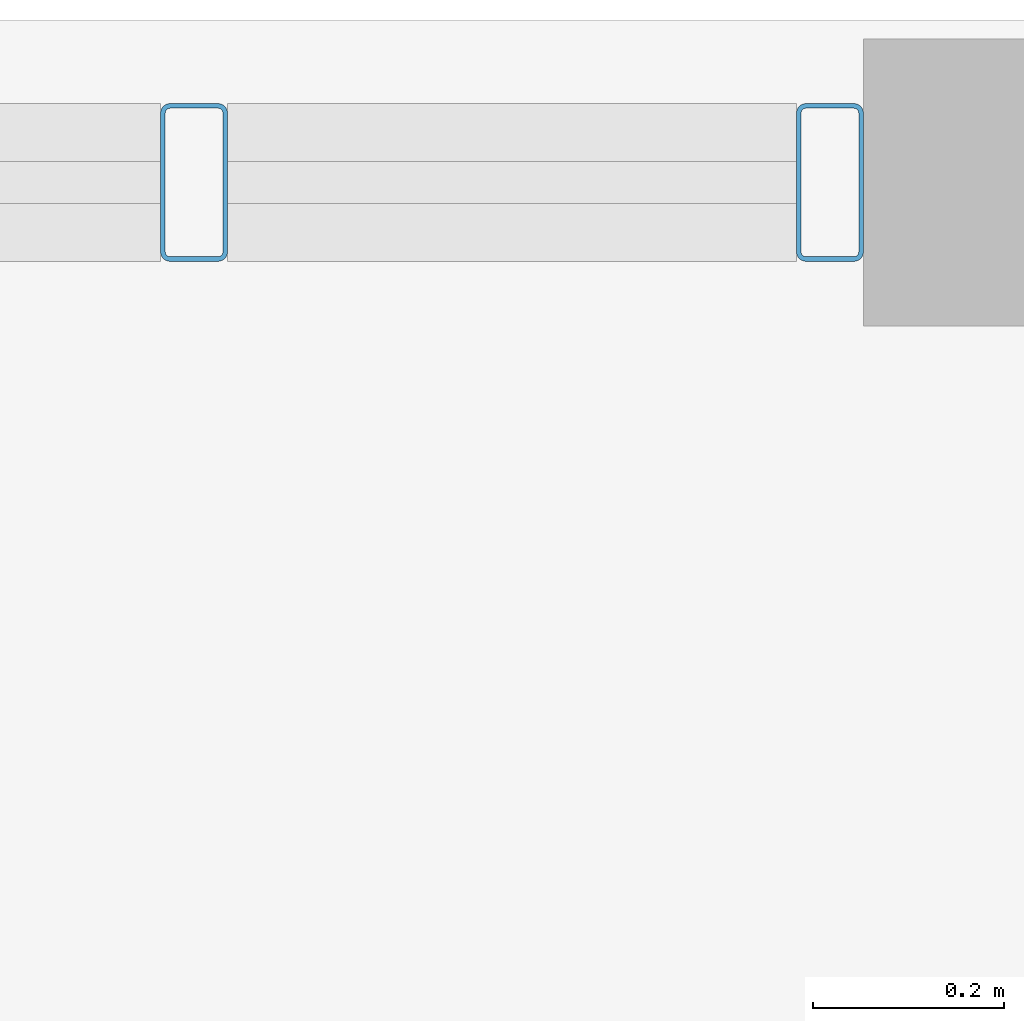
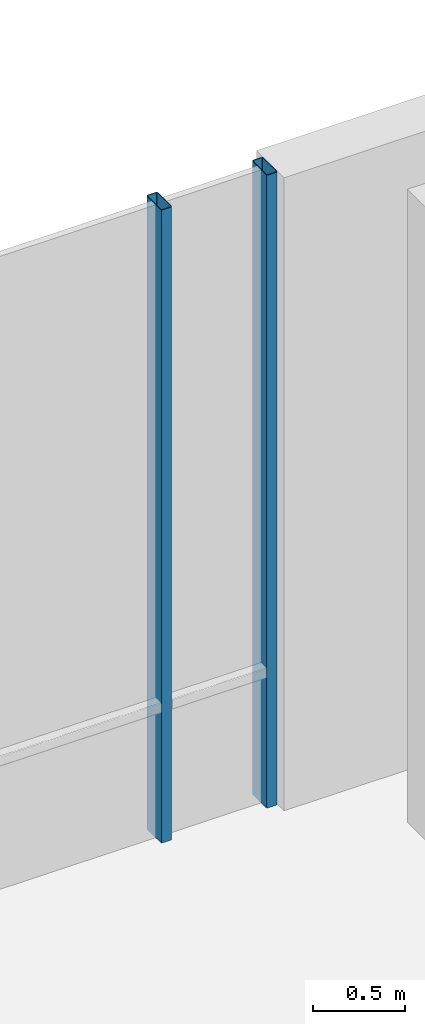
# One storey, part 7 of 25: 2 members, 1 element without a shape of its own.
"""IFC4 building model written with IfcOpenShell, lengths in metres."""

from ifc_helpers import new_model, si_unit, direction, frame, origin, origin_2d, place, context, subcontext, project, spatial, hollow_rectangle, extrude, material, layer, layer_set, material_profile, profile_set, type_object, element, aggregate, save


model = new_model("IFC4")

# Units and contexts
model_context = context("Model", 3, precision=1e-05, world=origin(), true_north=direction((0.0, 1.0)))
body_context = subcontext(model_context, "Body", "Model", "MODEL_VIEW")
ifc_project = project(units=[si_unit("LENGTHUNIT", "METRE"), si_unit("AREAUNIT", "SQUARE_METRE"), si_unit("VOLUMEUNIT", "CUBIC_METRE"), si_unit("PLANEANGLEUNIT", "RADIAN"), si_unit("MASSUNIT", "GRAM", prefix="KILO")], contexts=[model_context])

# Site, building, storey
site_placement = place(None, origin())
site = spatial("IfcSite", under=ifc_project, at=site_placement, CompositionType="ELEMENT")
building_placement = place(site_placement, origin())
building = spatial("IfcBuilding", under=site, at=building_placement, Name="Brevholm Reach", CompositionType="ELEMENT")
storey_placement = place(building_placement, frame((0.0, 0.0, 4.5)))
storey = spatial("IfcBuildingStorey", under=building, at=storey_placement, Name="L01", CompositionType="ELEMENT", Elevation=4.5)

# Curtain wall, members
ifc_material_1 = material(Name="Dark Anodised Aluminium 6063-T6 and Solar-Control Glass", Category="aluminium")
ifc_layer = layer(ifc_material_1, 0.1650390625)
ifc_layer_set = layer_set([ifc_layer], Name="Dark Anodised Aluminium 6063-T6 and Solar-Control Glass")
curtain_wall_type = type_object("IfcCurtainWallType", Name="CW-03", PredefinedType="NOTDEFINED", material=ifc_layer_set)
curtain_wall_placement = place(storey_placement, origin())
curtain_wall = element("IfcCurtainWall", 1, at=curtain_wall_placement, inside=storey, type_object=curtain_wall_type, Name="L01 Curtain Wall CW-03", PredefinedType="NOTDEFINED")
ifc_material_2 = material(Name="Dark Anodised Aluminium 6063-T6", Category="aluminium")
ifc_material_profile = material_profile(ifc_material_2, hollow_rectangle(XDim=0.070068359375, YDim=0.1650390625, WallThickness=0.0048828125, InnerFilletRadius=0.0048828125, OuterFilletRadius=0.010009765625, at=origin_2d()), Name="RHS 165x70x5")
ifc_profile_set = profile_set([ifc_material_profile], Name="Dark Anodised Aluminium 6063-T6")
member_type = type_object("IfcMemberType", Name="CWM-165", PredefinedType="MULLION", material=ifc_profile_set)
member_1_placement = place(storey_placement, frame((6.39990234375, 39.830078125, 0.0), z_axis=(0.0, 0.0, 1.0), x_axis=(1.0, 0.0, 0.0)))
member_1 = element("IfcMember", 2, at=member_1_placement, type_object=member_type, Name="CM-165 Mullion 5", PredefinedType="MULLION", context=body_context, shape_type="SweptSolid", body=[
    extrude(hollow_rectangle(XDim=0.070068359375, YDim=0.1650390625, WallThickness=0.0048828125, InnerFilletRadius=0.0048828125, OuterFilletRadius=0.010009765625, at=origin_2d()), origin(), (0.0, 0.0, 1.0), 4.219970703125),
])
member_2_placement = place(storey_placement, frame((7.06494140625, 39.830078125, 0.0), z_axis=(0.0, 0.0, 1.0), x_axis=(1.0, 0.0, 0.0)))
member_2 = element("IfcMember", 3, at=member_2_placement, type_object=member_type, Name="CM-165 Mullion 6", PredefinedType="MULLION", context=body_context, shape_type="SweptSolid", body=[
    extrude(hollow_rectangle(XDim=0.070068359375, YDim=0.1650390625, WallThickness=0.0048828125, InnerFilletRadius=0.0048828125, OuterFilletRadius=0.010009765625, at=origin_2d()), origin(), (0.0, 0.0, 1.0), 4.219970703125),
])
aggregate(curtain_wall, [member_1, member_2])

save(model, "model.ifc")
